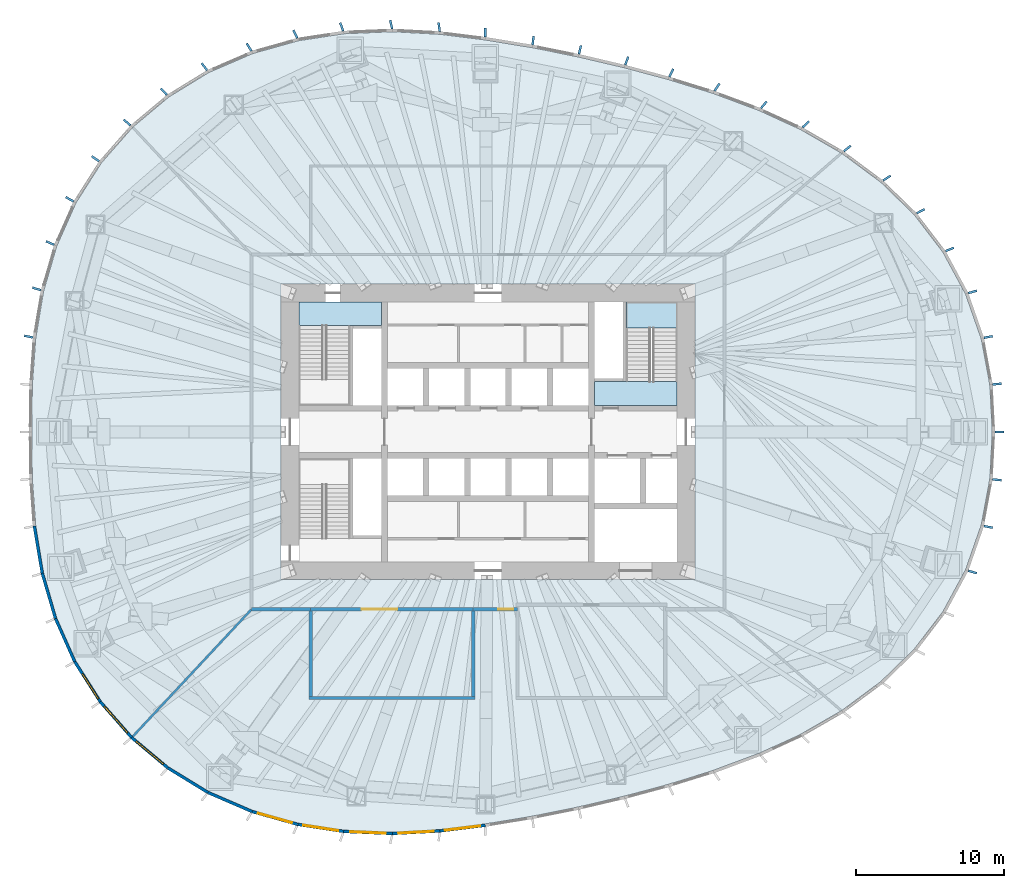
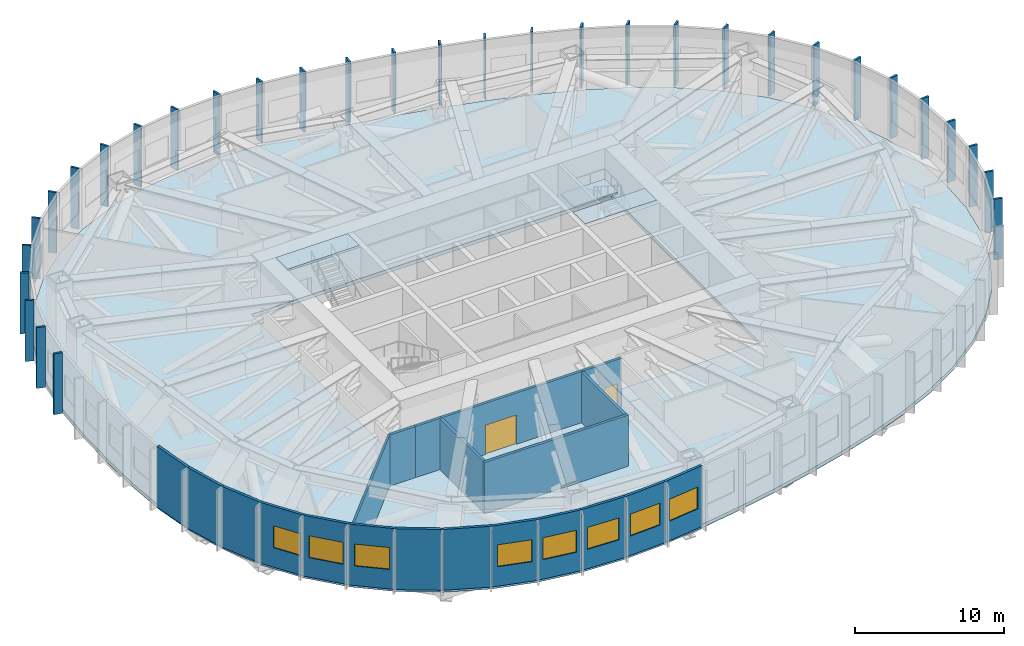
# One storey, part 6 of 12: 32 plates, 21 walls, 8 windows, 4 slabs, 2 doors, 10 openings, 2 elements without a shape of their own.
"""IFC4 building model written with IfcOpenShell, lengths in metres."""

import ifcopenshell
import ifcopenshell.guid

model = None  # the IFC model being written
_history = None  # IfcOwnerHistory: only IFC2X3 demands one
_inside = {}  # id of a spatial element -> (the spatial element, [elements in it])
_under = {}  # id of a project, library or spatial element -> (it, [spatial elements below it])
_declared = {}  # id of a project -> (the project, [libraries it declares])
_typed = {}  # id of a type object -> (the type object, [elements of that type])
_made_of = {}  # id of a material, layer set ... -> (it, [elements and type objects made of it])


def new_model(schema):
    """Start an empty IFC model of exactly this schema.

    Asked for "IFC4X3", IfcOpenShell would pick the latest addendum, in which some entities
    have other attributes; the version numbers below select the first issue.
    IFC2X3 requires an IfcOwnerHistory on every rooted entity: one is made here for all.
    """
    global model, _history
    if schema == "IFC4X3":
        model = ifcopenshell.file(schema_version=(4, 3, 0, 0))
    else:
        model = ifcopenshell.file(schema=schema)
    _inside.clear()
    _under.clear()
    _declared.clear()
    _typed.clear()
    _made_of.clear()
    _history = None
    if model.schema == "IFC2X3":
        org = make("IfcOrganization", Name="unknown")
        user = make(
            "IfcPersonAndOrganization",
            ThePerson=make("IfcPerson", FamilyName="unknown"),
            TheOrganization=org,
        )
        app = make(
            "IfcApplication",
            ApplicationDeveloper=org,
            Version="unknown",
            ApplicationFullName="unknown",
            ApplicationIdentifier="unknown",
        )
        _history = make(
            "IfcOwnerHistory",
            OwningUser=user,
            OwningApplication=app,
            ChangeAction="ADDED",
            CreationDate=0,
        )
    return model


def make(cls, **values):
    """One entity of the class cls with the attributes given. An attribute that is None is left unset."""
    return model.create_entity(
        cls, **{name: value for name, value in values.items() if value is not None}
    )


def rooted(cls, **values):
    """An entity with a GlobalId (a new one), such as an element, a storey or a relation."""
    return make(cls, GlobalId=ifcopenshell.guid.new(), OwnerHistory=_history, **values)


def si_unit(unit_type, name, prefix=None):
    """IfcSIUnit, for example si_unit("LENGTHUNIT", "METRE", prefix="MILLI")."""
    return make("IfcSIUnit", UnitType=unit_type, Prefix=prefix, Name=name)


def assignment(units):
    """IfcUnitAssignment: the units of a project."""
    return None if units is None else make("IfcUnitAssignment", Units=units)


def point(xyz):
    """IfcCartesianPoint."""
    return None if xyz is None else make("IfcCartesianPoint", Coordinates=xyz)


def direction(xyz):
    """IfcDirection."""
    return None if xyz is None else make("IfcDirection", DirectionRatios=xyz)


def frame(location, z_axis=None, x_axis=None):
    """IfcAxis2Placement3D, a coordinate frame: its origin and axes. An axis left out is left unset."""
    return make(
        "IfcAxis2Placement3D",
        Location=point(location),
        Axis=direction(z_axis),
        RefDirection=direction(x_axis),
    )


def frame_2d(location, x_axis=None):
    """IfcAxis2Placement2D, a coordinate frame in the plane: its origin and x axis."""
    return make(
        "IfcAxis2Placement2D", Location=point(location), RefDirection=direction(x_axis)
    )


def origin():
    """The frame at (0, 0, 0) with its axes left unset."""
    return frame((0.0, 0.0, 0.0))


def origin_2d():
    """The frame at (0, 0) in the plane with its x axis left unset."""
    return frame_2d((0.0, 0.0))


def place(relative_to, where):
    """IfcLocalPlacement: puts the frame where relative to a parent placement (None: the world)."""
    return make(
        "IfcLocalPlacement", PlacementRelTo=relative_to, RelativePlacement=where
    )


def context(
    kind, dimensions, precision=None, world=None, true_north=None, identifier=None
):
    """IfcGeometricRepresentationContext, for example the 3D "Model" context."""
    return make(
        "IfcGeometricRepresentationContext",
        ContextIdentifier=identifier,
        ContextType=kind,
        CoordinateSpaceDimension=dimensions,
        Precision=precision,
        WorldCoordinateSystem=world,
        TrueNorth=true_north,
    )


def subcontext(parent, identifier, kind, view, scale=None):
    """IfcGeometricRepresentationSubContext, for example "Body" below "Model"."""
    return make(
        "IfcGeometricRepresentationSubContext",
        ContextIdentifier=identifier,
        ContextType=kind,
        ParentContext=parent,
        TargetScale=scale,
        TargetView=view,
    )


def project(units=None, contexts=None):
    """IfcProject with its units and contexts."""
    return rooted(
        "IfcProject",
        Name="project",
        RepresentationContexts=contexts,
        UnitsInContext=assignment(units),
    )


def spatial(cls, under=None, at=None, **own):
    """A site, building, storey or space (cls), placed at a placement, below another one or the project."""
    s = rooted(cls, ObjectPlacement=at, **own)
    if under is not None:
        _under.setdefault(under.id(), (under, []))[1].append(s)
    return s


def polyline(points):
    """IfcPolyline through the points."""
    return make("IfcPolyline", Points=[point(p) for p in points])


def profile(cls, at=None, kind="AREA", **sizes):
    """A parametric profile (cls). Its sizes go by their IFC names, for example OverallWidth=200.0."""
    return make(cls, ProfileType=kind, Position=at, **sizes)


def rectangle(**sizes):
    """IfcRectangleProfileDef."""
    return profile("IfcRectangleProfileDef", **sizes)


def outline(outer, holes=None, kind="AREA"):
    """IfcArbitraryClosedProfileDef: a profile drawn as a closed curve; with holes, ...WithVoids."""
    if holes is None:
        return make("IfcArbitraryClosedProfileDef", ProfileType=kind, OuterCurve=outer)
    return make(
        "IfcArbitraryProfileDefWithVoids",
        ProfileType=kind,
        OuterCurve=outer,
        InnerCurves=holes,
    )


def extrude(swept, where, along, depth):
    """IfcExtrudedAreaSolid: the profile swept, set in the frame where, extruded along a direction by depth."""
    return make(
        "IfcExtrudedAreaSolid",
        SweptArea=swept,
        Position=where,
        ExtrudedDirection=direction(along),
        Depth=depth,
    )


def shape(context_of_items, identifier, shape_type, items):
    """IfcShapeRepresentation: the items that make up one representation, for example the "Body"."""
    return make(
        "IfcShapeRepresentation",
        ContextOfItems=context_of_items,
        RepresentationIdentifier=identifier,
        RepresentationType=shape_type,
        Items=items,
    )


def material(Name=None, Category=None):
    """IfcMaterial."""
    return make("IfcMaterial", Name=Name, Category=Category)


def layer(
    of_material, thickness, ventilated=None, Name=None, Category=None, Priority=None
):
    """IfcMaterialLayer: one layer of a wall or slab, of a material (None: an air gap)."""
    return make(
        "IfcMaterialLayer",
        Material=of_material,
        LayerThickness=thickness,
        IsVentilated=ventilated,
        Name=Name,
        Category=Category,
        Priority=Priority,
    )


def layer_set(layers, Name=None):
    """IfcMaterialLayerSet."""
    return make("IfcMaterialLayerSet", MaterialLayers=layers, LayerSetName=Name)


def made_of(thing, what):
    """Note that an element or type object is made of a material, layer set ...; save() writes the relation."""
    if what is not None:
        _made_of.setdefault(what.id(), (what, []))[1].append(thing)
    return thing


def type_object(cls, material=None, **own):
    """A type object (cls), such as IfcWallType, which elements share."""
    return made_of(rooted(cls, **own), material)


def element(
    cls,
    number,
    at=None,
    inside=None,
    cuts=None,
    type_object=None,
    material=None,
    context=None,
    identifier="Body",
    shape_type=None,
    held_by="IfcProductDefinitionShape",
    body=None,
    shapes=None,
    **own,
):
    """One element of the class cls, such as IfcWall. Its Tag is "e" and its number.

    at: its placement. inside: the storey or other place that contains it. cuts: it is an
    opening in that element (IfcRelVoidsElement). A single representation is given by context,
    identifier, shape_type and body (its items); several are given by shapes. held_by: the class
    of the entity that holds the representations. save() writes the other relations.
    """
    e = rooted(cls, Tag="e%d" % number, ObjectPlacement=at, **own)
    if body is not None:
        shapes = [shape(context, identifier, shape_type, body)]
    if shapes is not None:
        e.Representation = make(held_by, Representations=shapes)
    if inside is not None:
        _inside.setdefault(inside.id(), (inside, []))[1].append(e)
    if cuts is not None:
        rooted(
            "IfcRelVoidsElement", RelatingBuildingElement=cuts, RelatedOpeningElement=e
        )
    if type_object is not None:
        _typed.setdefault(type_object.id(), (type_object, []))[1].append(e)
    return made_of(e, material)


def fill(opening, filler):
    """IfcRelFillsElement: the door or window that sits in an opening."""
    return rooted(
        "IfcRelFillsElement",
        RelatingOpeningElement=opening,
        RelatedBuildingElement=filler,
    )


def aggregate(whole, parts):
    """IfcRelAggregates: a whole, such as a stair, and the parts it consists of."""
    return rooted("IfcRelAggregates", RelatingObject=whole, RelatedObjects=parts)


def save(model, path):
    """Write the relations noted so far, then the file.

    IfcRelAggregates (storeys below a building ...), IfcRelContainedInSpatialStructure (elements
    in a storey), IfcRelDefinesByType, IfcRelAssociatesMaterial and IfcRelDeclares: one each for
    every whole, place, type object, material and project.
    """
    for whole, parts in _under.values():
        aggregate(whole, parts)
    for where, things in _inside.values():
        rooted(
            "IfcRelContainedInSpatialStructure",
            RelatedElements=things,
            RelatingStructure=where,
        )
    for kind, things in _typed.values():
        rooted("IfcRelDefinesByType", RelatedObjects=things, RelatingType=kind)
    for what, things in _made_of.values():
        rooted("IfcRelAssociatesMaterial", RelatedObjects=things, RelatingMaterial=what)
    for by, libraries in _declared.values():
        rooted("IfcRelDeclares", RelatingContext=by, RelatedDefinitions=libraries)
    model.write(path)


model = new_model("IFC4")

# Units and contexts
model_context = context("Model", 3, precision=1e-05, world=origin(), true_north=direction((0.0, 1.0)))
body_context = subcontext(model_context, "Body", "Model", "MODEL_VIEW")
ifc_project = project(units=[si_unit("LENGTHUNIT", "METRE"), si_unit("AREAUNIT", "SQUARE_METRE"), si_unit("VOLUMEUNIT", "CUBIC_METRE"), si_unit("PLANEANGLEUNIT", "RADIAN"), si_unit("MASSUNIT", "GRAM", prefix="KILO")], contexts=[model_context])

# Site, building, storey
site_placement = place(None, origin())
site = spatial("IfcSite", under=ifc_project, at=site_placement, CompositionType="ELEMENT")
building_placement = place(site_placement, origin())
building = spatial("IfcBuilding", under=site, at=building_placement, Name="Ghaith Harvest Tower", CompositionType="ELEMENT")
storey_placement = place(building_placement, frame((0.0, 0.0, 100.0)))
storey = spatial("IfcBuildingStorey", under=building, at=storey_placement, Name="L20", CompositionType="ELEMENT", Elevation=100.0)

# Slab
ifc_material_1 = material(Name="Concrete C40/50", Category="concrete")
ifc_layer_1 = layer(ifc_material_1, 0.300048828125)
ifc_layer_set_1 = layer_set([ifc_layer_1], Name="FLOOR SLAB 300")
slab_type_1 = type_object("IfcSlabType", Name="FLOOR SLAB 300", PredefinedType="FLOOR", material=ifc_layer_set_1)
slab_1_placement = place(storey_placement, frame((0.0, 0.0, -0.300048828125)))
element("IfcSlab", 1, at=slab_1_placement, inside=storey, type_object=slab_type_1, Name="Floor slab L20", PredefinedType="FLOOR", context=body_context, shape_type="SweptSolid", body=[
    extrude(outline(polyline([(34.125, 0.0), (33.95849609375, 3.194091796875), (33.37158203125, 6.333984375), (32.318359375, 9.3408203125), (30.78515625, 12.1708984375), (28.840087890625, 14.708984375), (26.572509765625, 16.9111328125), (23.92431640625, 18.873046875), (21.149169921875, 20.469482421875), (18.34521484375, 21.7548828125), (15.22119140625, 22.916259765625), (12.1796875, 23.857666015625), (9.21533203125, 24.65087890625), (6.10888671875, 25.378662109375), (2.99560546875, 26.004150390625), (-0.181396484375, 26.527099609375), (-3.24755859375, 26.91064453125), (-6.4375, 27.0849609375), (-9.733642578125, 26.949951171875), (-12.828125, 26.476806640625), (-15.907958984375, 25.614501953125), (-18.8935546875, 24.32763671875), (-21.59912109375, 22.671142578125), (-24.04833984375, 20.618408203125), (-26.16455078125, 18.20556640625), (-27.881591796875, 15.507080078125), (-29.182373046875, 12.587890625), (-30.073974609375, 9.531005859375), (-30.606689453125, 6.35107421875), (-30.837158203125, 3.165771484375), (-30.875, 0.0), (-30.837158203125, -3.165771484375), (-30.606689453125, -6.35107421875), (-30.073974609375, -9.531005859375), (-29.182373046875, -12.587890625), (-27.881591796875, -15.507080078125), (-26.16455078125, -18.20556640625), (-24.04833984375, -20.618408203125), (-21.59912109375, -22.671142578125), (-18.8935546875, -24.32763671875), (-15.907958984375, -25.614501953125), (-12.828125, -26.476806640625), (-9.733642578125, -26.949951171875), (-6.4375, -27.0849609375), (-3.24755859375, -26.91064453125), (-0.181396484375, -26.527099609375), (2.99560546875, -26.004150390625), (6.10888671875, -25.378662109375), (9.21533203125, -24.65087890625), (12.1796875, -23.857666015625), (15.22119140625, -22.916259765625), (18.34521484375, -21.7548828125), (21.149169921875, -20.469482421875), (23.92431640625, -18.873046875), (26.572509765625, -16.9111328125), (28.840087890625, -14.708984375), (30.78515625, -12.1708984375), (32.318359375, -9.3408203125), (33.37158203125, -6.333984375), (33.95849609375, -3.194091796875), (34.125, 0.0)]), holes=[polyline([(-14.0, -10.0), (14.0, -10.0), (14.0, 10.0), (-14.0, 10.0), (-14.0, -10.0)])]), origin(), (0.0, 0.0, 1.0), 0.300048828125),
])

# Stair, slab
ifc_material_2 = material(Name="Concrete C40/50, precast", Category="concrete")
stair_type = type_object("IfcStairType", Name="CORE STAIR 28R", PredefinedType="HALF_TURN_STAIR", material=ifc_material_2)
stair_1_placement = place(storey_placement, origin())
stair_1 = element("IfcStair", 2, at=stair_1_placement, inside=storey, type_object=stair_type, Name="Stair ST1 L20", PredefinedType="HALF_TURN_STAIR")
ifc_material_3 = material(Name="Concrete C40/50, precast", Category="concrete")
ifc_layer_2 = layer(ifc_material_3, 0.179931640625)
ifc_layer_set_2 = layer_set([ifc_layer_2], Name="STAIR LANDING 180")
slab_type_2 = type_object("IfcSlabType", Name="STAIR LANDING 180", PredefinedType="LANDING", material=ifc_layer_set_2)
slab_2_placement = place(storey_placement, frame((0.0, 0.0, 4.820068359375)))
slab_2 = element("IfcSlab", 3, at=slab_2_placement, type_object=slab_type_2, Name="ST1 landing 2", PredefinedType="LANDING", context=body_context, shape_type="SweptSolid", body=[
    extrude(outline(polyline([(-12.800048828125, 8.800048828125), (-12.800048828125, 7.199951171875), (-7.199951171875, 7.199951171875), (-7.199951171875, 8.800048828125), (-12.800048828125, 8.800048828125)])), origin(), (0.0, 0.0, 1.0), 0.179931640625),
])
aggregate(stair_1, [slab_2])

# Stair, slabs
stair_2_placement = place(storey_placement, origin())
stair_2 = element("IfcStair", 4, at=stair_2_placement, inside=storey, type_object=stair_type, Name="Stair ST2 L20", PredefinedType="HALF_TURN_STAIR")
slab_3_placement = place(storey_placement, frame((0.0, 0.0, 2.320068359375)))
slab_3 = element("IfcSlab", 5, at=slab_3_placement, type_object=slab_type_2, Name="ST2 landing 1", PredefinedType="LANDING", context=body_context, shape_type="SweptSolid", body=[
    extrude(outline(polyline([(12.800048828125, 7.02001953125), (12.800048828125, 8.800048828125), (9.35009765625, 8.800048828125), (9.35009765625, 7.02001953125), (12.800048828125, 7.02001953125)])), origin(), (0.0, 0.0, 1.0), 0.179931640625),
])
slab_4_placement = place(storey_placement, frame((0.0, 0.0, 4.820068359375)))
slab_4 = element("IfcSlab", 6, at=slab_4_placement, type_object=slab_type_2, Name="ST2 landing 2", PredefinedType="LANDING", context=body_context, shape_type="SweptSolid", body=[
    extrude(outline(polyline([(12.800048828125, 1.800048828125), (12.800048828125, 3.39990234375), (7.199951171875, 3.39990234375), (7.199951171875, 1.800048828125), (12.800048828125, 1.800048828125)])), origin(), (0.0, 0.0, 1.0), 0.179931640625),
])
aggregate(stair_2, [slab_3, slab_4])

# Plates
ifc_material_4 = material(Name="Glassfibre-reinforced concrete", Category="concrete")
ifc_layer_3 = layer(ifc_material_4, 0.14990234375)
ifc_layer_set_3 = layer_set([ifc_layer_3], Name="SUN-BREAKER FIN 600x150")
plate_type = type_object("IfcPlateType", Name="SUN-BREAKER FIN 600x150", PredefinedType="USERDEFINED", material=ifc_layer_set_3)
for number, where, z_axis, x_axis, name in (
    (7, (34.625, 0.0, 0.0), (0.0, 0.0, 1.0), (1.0, 0.0, 0.0), "Sun-breaker fin 01.1 L20"),
    (8, (34.456298828125, 3.240966796875, 0.0), (0.0, 0.0, 1.0), (0.995605438152, 0.093647271834, 0.0), "Sun-breaker fin 01.2 L20"),
    (9, (33.863037109375, 6.42724609375, 0.0), (0.0, 0.0, 1.0), (0.982460376956, 0.186471466213, 0.0), "Sun-breaker fin 01.3 L20"),
    (10, (32.798828125, 9.4794921875, 0.0), (0.0, 0.0, 1.0), (0.960680349985, 0.277656739792, 0.0), "Sun-breaker fin 02.1 L20"),
    (11, (31.250244140625, 12.354736328125, 0.0), (0.0, 0.0, 1.0), (0.929960843135, 0.367658578351, 0.0), "Sun-breaker fin 02.2 L20"),
    (12, (29.28564453125, 14.93603515625, 0.0), (0.0, 0.0, 1.0), (0.890830752257, 0.454335306611, 0.0), "Sun-breaker fin 02.3 L20"),
    (13, (26.994384765625, 17.179443359375, 0.0), (0.0, 0.0, 1.0), (0.843643971464, 0.536903016766, 0.0), "Sun-breaker fin 03.1 L20"),
    (14, (24.316650390625, 19.1826171875, 0.0), (0.0, 0.0, 1.0), (0.785114680459, 0.619350416588, 0.0), "Sun-breaker fin 03.2 L20"),
    (15, (21.508544921875, 20.8173828125, 0.0), (0.0, 0.0, 1.0), (0.7185589652, 0.69546604053, 0.0), "Sun-breaker fin 03.3 L20"),
    (16, (18.66748046875, 22.13720703125, 0.0), (0.0, 0.0, 1.0), (0.644657240203, 0.764471740913, 0.0), "Sun-breaker fin 04.1 L20"),
    (17, (15.497802734375, 23.332763671875, 0.0), (0.0, 0.0, 1.0), (0.553282686819, 0.832993558478, 0.0), "Sun-breaker fin 04.2 L20"),
    (18, (12.406982421875, 24.302978515625, 0.0), (0.0, 0.0, 1.0), (0.454690809683, 0.890649351647, 0.0), "Sun-breaker fin 04.3 L20"),
    (19, (9.390380859375, 25.119140625, 0.0), (0.0, 0.0, 1.0), (0.35016769709, 0.936687025593, 0.0), "Sun-breaker fin 05.1 L20"),
    (20, (6.22607421875, 25.86474609375, 0.0), (0.0, 0.0, 1.0), (0.234028132006, 0.972229825417, 0.0), "Sun-breaker fin 05.2 L20"),
    (21, (3.052734375, 26.500732421875, 0.0), (0.0, 0.0, 1.0), (0.114436255666, 0.993430593141, 0.0), "Sun-breaker fin 05.3 L20"),
    (22, (-0.18505859375, 27.027099609375, 0.0), (0.0, 0.0, 1.0), (-0.006843747783, 0.999976581284, 0.0), "Sun-breaker fin 06.1 L20"),
    (23, (-3.307373046875, 27.406982421875, 0.0), (0.0, 0.0, 1.0), (-0.119806500946, 0.992797261444, 0.0), "Sun-breaker fin 06.2 L20"),
    (24, (-6.552978515625, 27.571533203125, 0.0), (0.0, 0.0, 1.0), (-0.231234279063, 0.972898097535, 0.0), "Sun-breaker fin 06.3 L20"),
    (25, (-9.903564453125, 27.420166015625, 0.0), (0.0, 0.0, 1.0), (-0.339699453402, 0.94053404051, 0.0), "Sun-breaker fin 07.1 L20"),
    (26, (-13.046142578125, 26.9267578125, 0.0), (0.0, 0.0, 1.0), (-0.436023232142, 0.899935409367, 0.0), "Sun-breaker fin 07.2 L20"),
    (27, (-16.171630859375, 26.039306640625, 0.0), (0.0, 0.0, 1.0), (-0.527582795495, 0.849503616177, 0.0), "Sun-breaker fin 07.3 L20"),
    (28, (-19.2001953125, 24.722412109375, 0.0), (0.0, 0.0, 1.0), (-0.613377714422, 0.78978970584, 0.0), "Sun-breaker fin 08.1 L20"),
    (29, (-21.94384765625, 23.033203125, 0.0), (0.0, 0.0, 1.0), (-0.689778750972, 0.724020217057, 0.0), "Sun-breaker fin 08.2 L20"),
    (30, (-24.427978515625, 20.94384765625, 0.0), (0.0, 0.0, 1.0), (-0.759169742643, 0.650892696115, 0.0), "Sun-breaker fin 08.3 L20"),
    (31, (-26.574951171875, 18.4912109375, 0.0), (0.0, 0.0, 1.0), (-0.820845486523, 0.571150319316, 0.0), "Sun-breaker fin 09.1 L20"),
    (32, (-28.318603515625, 15.75, 0.0), (0.0, 0.0, 1.0), (-0.873926916005, 0.486057347935, 0.0), "Sun-breaker fin 09.2 L20"),
    (33, (-29.641357421875, 12.785888671875, 0.0), (0.0, 0.0, 1.0), (-0.918217993215, 0.396075392995, 0.0), "Sun-breaker fin 09.3 L20"),
    (34, (-30.550537109375, 9.68212890625, 0.0), (0.0, 0.0, 1.0), (-0.953273219358, 0.302109531884, 0.0), "Sun-breaker fin 10.1 L20"),
    (35, (-31.096435546875, 6.45263671875, 0.0), (0.0, 0.0, 1.0), (-0.979141680737, 0.203178662866, 0.0), "Sun-breaker fin 10.2 L20"),
    (36, (32.798828125, -9.4794921875, 0.0), (0.0, 0.0, 1.0), (0.960680349932, -0.277656739976, 0.0), "Sun-breaker fin 20.1 L20"),
    (37, (33.863037109375, -6.42724609375, 0.0), (0.0, 0.0, 1.0), (0.982460376923, -0.186471466384, 0.0), "Sun-breaker fin 20.2 L20"),
    (38, (34.456298828125, -3.240966796875, 0.0), (0.0, 0.0, 1.0), (0.995605438136, -0.093647272008, 0.0), "Sun-breaker fin 20.3 L20"),
):
    element("IfcPlate", number, at=place(storey_placement, frame(where, z_axis=z_axis, x_axis=x_axis)), inside=storey, type_object=plate_type, Name=name, ObjectType="SUN-BREAKER FIN", PredefinedType="USERDEFINED", context=body_context, shape_type="SweptSolid", body=[
        extrude(rectangle(XDim=0.60009765625, YDim=0.14990234375, at=origin_2d()), origin(), (0.0, 0.0, 1.0), 5.0),
    ])

# Walls
ifc_material_5 = material(Name="Concrete blockwork, 1-hour", Category="masonry")
ifc_layer_4 = layer(ifc_material_5, 0.215087890625)
ifc_layer_set_4 = layer_set([ifc_layer_4], Name="BLOCKWORK WALL 215")
wall_type_1 = type_object("IfcWallType", Name="BLOCKWORK WALL 215", PredefinedType="PARTITIONING", material=ifc_layer_set_4)
for number, where, z_axis, x_axis, name in (
    (39, (-16.0, -12.0, 0.0), (0.0, 0.0, 1.0), (1.0, 0.0, 0.0), "Plant room wall L20"),
    (40, (-14.0, -12.0, 0.0), (0.0, 0.0, 1.0), (1.0, 0.0, 0.0), "Plant room wall L20"),
):
    element("IfcWall", number, at=place(storey_placement, frame(where, z_axis=z_axis, x_axis=x_axis)), inside=storey, type_object=wall_type_1, Name=name, PredefinedType="PARTITIONING", context=body_context, shape_type="SweptSolid", body=[
        extrude(rectangle(XDim=2.0, YDim=0.215087890625, at=frame_2d((1.0, 0.0))), origin(), (0.0, 0.0, 1.0), 4.199951171875),
    ])

# Wall, opening, door
wall_1_placement = place(storey_placement, frame((-1.0, -12.0, 0.0), z_axis=(0.0, 0.0, 1.0), x_axis=(1.0, 0.0, 0.0)))
wall_1 = element("IfcWall", 41, at=wall_1_placement, inside=storey, type_object=wall_type_1, Name="Plant room wall L20", PredefinedType="PARTITIONING", context=body_context, shape_type="SweptSolid", body=[
    extrude(rectangle(XDim=3.0, YDim=0.215087890625, at=frame_2d((1.5, 0.0))), origin(), (0.0, 0.0, 1.0), 4.199951171875),
])
opening_1_placement = place(wall_1_placement, frame((1.699951171875, 0.0, 0.0)))
opening_1 = element("IfcOpeningElement", 42, at=opening_1_placement, cuts=wall_1, Name="Opening 20-029", PredefinedType="OPENING", context=body_context, shape_type="SweptSolid", body=[
    extrude(rectangle(XDim=1.0, YDim=2.199951171875, at=frame_2d((0.5, 1.10009765625))), frame((0.0, 0.11767578125, 0.0), z_axis=(0.0, -1.0, 0.0), x_axis=(1.0, 0.0, 0.0)), (0.0, 0.0, 1.0), 0.235107421875),
])
ifc_material_6 = material(Name="Timber door", Category="wood")
door_type_1 = type_object("IfcDoorType", Name="D1 SINGLE 1000x2200", OperationType="SINGLE_SWING_LEFT", PredefinedType="DOOR", material=ifc_material_6)
door_1_placement = place(opening_1_placement, origin())
door_1 = element("IfcDoor", 43, at=door_1_placement, inside=storey, type_object=door_type_1, Name="Pump room south door", OperationType="SINGLE_SWING_RIGHT", OverallHeight=2.199951171875, OverallWidth=1.0, PredefinedType="DOOR", context=body_context, shape_type="SweptSolid", body=[
    extrude(rectangle(XDim=1.0, YDim=2.199951171875, at=frame_2d((0.5, 1.10009765625))), frame((0.0, 0.02490234375, 0.0), z_axis=(0.0, -1.0, 0.0), x_axis=(1.0, 0.0, 0.0)), (0.0, 0.0, 1.0), 0.050048828125),
])
fill(opening_1, door_1)

# Wall
wall_2_placement = place(storey_placement, frame((-12.107421875, -18.0, 0.0), z_axis=(0.0, 0.0, 1.0), x_axis=(1.0, 0.0, 0.0)))
element("IfcWall", 44, at=wall_2_placement, inside=storey, type_object=wall_type_1, Name="Partition L20-02", PredefinedType="PARTITIONING", context=body_context, shape_type="SweptSolid", body=[
    extrude(rectangle(XDim=11.21484375, YDim=0.215087890625, at=frame_2d((5.607421875, 0.0))), origin(), (0.0, 0.0, 1.0), 4.199951171875),
])

# Wall, opening, door
wall_3_placement = place(storey_placement, frame((-12.107421875, -12.0, 0.0), z_axis=(0.0, 0.0, 1.0), x_axis=(1.0, 0.0, 0.0)))
wall_3 = element("IfcWall", 45, at=wall_3_placement, inside=storey, type_object=wall_type_1, Name="Partition L20-02", PredefinedType="PARTITIONING", context=body_context, shape_type="SweptSolid", body=[
    extrude(rectangle(XDim=11.21484375, YDim=0.215087890625, at=frame_2d((5.607421875, 0.0))), origin(), (0.0, 0.0, 1.0), 4.199951171875),
])
opening_2_placement = place(wall_3_placement, frame((3.5576171875, 0.0, 0.0)))
opening_2 = element("IfcOpeningElement", 46, at=opening_2_placement, cuts=wall_3, Name="Opening 20-025", PredefinedType="OPENING", context=body_context, shape_type="SweptSolid", body=[
    extrude(rectangle(XDim=2.39990234375, YDim=2.39990234375, at=frame_2d((1.199951171875, 1.199951171875))), frame((0.0, 0.11767578125, 0.0), z_axis=(0.0, -1.0, 0.0), x_axis=(1.0, 0.0, 0.0)), (0.0, 0.0, 1.0), 0.235107421875),
])
ifc_material_7 = material(Name="Timber door", Category="wood")
door_type_2 = type_object("IfcDoorType", Name="D10 PLANT PAIR 2400x2400", OperationType="DOUBLE_DOOR_SINGLE_SWING", PredefinedType="DOOR", material=ifc_material_7)
door_2_placement = place(opening_2_placement, origin())
door_2 = element("IfcDoor", 47, at=door_2_placement, inside=storey, type_object=door_type_2, Name="Water tank room door", OperationType="DOUBLE_DOOR_SINGLE_SWING", OverallHeight=2.39990234375, OverallWidth=2.39990234375, PredefinedType="DOOR", context=body_context, shape_type="SweptSolid", body=[
    extrude(rectangle(XDim=2.39990234375, YDim=2.39990234375, at=frame_2d((1.199951171875, 1.199951171875))), frame((0.0, 0.02490234375, 0.0), z_axis=(0.0, -1.0, 0.0), x_axis=(1.0, 0.0, 0.0)), (0.0, 0.0, 1.0), 0.050048828125),
])
fill(opening_2, door_2)

# Walls
wall_4_placement = place(storey_placement, frame((-12.0, -17.892578125, 0.0), z_axis=(0.0, 0.0, 1.0), x_axis=(0.0, 1.0, 0.0)))
element("IfcWall", 48, at=wall_4_placement, inside=storey, type_object=wall_type_1, Name="Partition L20-02", PredefinedType="PARTITIONING", context=body_context, shape_type="SweptSolid", body=[
    extrude(rectangle(XDim=5.78515625, YDim=0.215087890625, at=frame_2d((2.892578125, 0.0))), origin(), (0.0, 0.0, 1.0), 4.199951171875),
])
ifc_material_8 = material(Name="Concrete blockwork, 1-hour", Category="masonry")
ifc_layer_5 = layer(ifc_material_8, 0.215087890625)
ifc_layer_set_5 = layer_set([ifc_layer_5], Name="BLOCKWORK WALL 215H")
wall_type_2 = type_object("IfcWallType", Name="BLOCKWORK WALL 215H", PredefinedType="PARTITIONING", material=ifc_layer_set_5)
wall_5_placement = place(storey_placement, frame((-1.0, -17.892578125, 0.0), z_axis=(0.0, 0.0, 1.0), x_axis=(0.0, 1.0, 0.0)))
element("IfcWall", 49, at=wall_5_placement, inside=storey, type_object=wall_type_2, Name="Partition L20-02", PredefinedType="PARTITIONING", context=body_context, shape_type="SweptSolid", body=[
    extrude(rectangle(XDim=5.78515625, YDim=0.215087890625, at=frame_2d((2.892578125, 0.0))), origin(), (0.0, 0.0, 1.0), 4.14599609375),
])
ifc_material_9 = material(Name="Gypsum board on steel studs", Category="steel")
ifc_layer_6 = layer(ifc_material_9, 0.14990234375)
ifc_layer_set_6 = layer_set([ifc_layer_6], Name="PARTITION 150")
wall_type_3 = type_object("IfcWallType", Name="PARTITION 150", PredefinedType="PARTITIONING", material=ifc_layer_set_6)
wall_6_placement = place(storey_placement, frame((-16.013671875, -12.0146484375, 0.0), z_axis=(0.0, 0.0, 1.0), x_axis=(-0.682522513656, -0.730864569091, 0.0)))
element("IfcWall", 50, at=wall_6_placement, inside=storey, type_object=wall_type_3, Name="Partition L20 zone division", PredefinedType="PARTITIONING", context=body_context, shape_type="SweptSolid", body=[
    extrude(rectangle(XDim=11.751953125, YDim=0.14990234375, at=frame_2d((5.8759765625, 0.0))), origin(), (0.0, 0.0, 1.0), 4.199951171875),
])
ifc_material_10 = material(Name="Steel, black insulated metal cladding panel", Category="steel")
ifc_layer_7 = layer(ifc_material_10, 0.199951171875)
ifc_layer_set_7 = layer_set([ifc_layer_7], Name="PLANT ENCLOSURE WALL 200")
wall_type_4 = type_object("IfcWallType", Name="PLANT ENCLOSURE WALL 200", PredefinedType="SOLIDWALL", material=ifc_layer_set_7)
wall_7_placement = place(storey_placement, frame((-30.70458984375, -6.371337890625, 0.0), z_axis=(0.0, 0.0, 1.0), x_axis=(0.165524941824, -0.986205604138, 0.0)))
element("IfcWall", 51, at=wall_7_placement, inside=storey, type_object=wall_type_4, Name="Plant enclosure wall 11.3 L20", PredefinedType="SOLIDWALL", context=body_context, shape_type="SweptSolid", body=[
    extrude(rectangle(XDim=3.234619140625, YDim=0.199951171875, at=frame_2d((1.6171875, 0.0))), origin(), (0.0, 0.0, 1.0), 5.0),
])
wall_8_placement = place(storey_placement, frame((-30.169189453125, -9.561279296875, 0.0), z_axis=(0.0, 0.0, 1.0), x_axis=(0.280208384057, -0.959939196774, 0.0)))
element("IfcWall", 52, at=wall_8_placement, inside=storey, type_object=wall_type_4, Name="Plant enclosure wall 12.1 L20", PredefinedType="SOLIDWALL", context=body_context, shape_type="SweptSolid", body=[
    extrude(rectangle(XDim=3.194091796875, YDim=0.199951171875, at=frame_2d((1.59716796875, 0.0))), origin(), (0.0, 0.0, 1.0), 5.0),
])
wall_9_placement = place(storey_placement, frame((-29.274169921875, -12.62744140625, 0.0), z_axis=(0.0, 0.0, 1.0), x_axis=(0.407113305764, -0.913377663549, 0.0)))
element("IfcWall", 53, at=wall_9_placement, inside=storey, type_object=wall_type_4, Name="Plant enclosure wall 12.2 L20", PredefinedType="SOLIDWALL", context=body_context, shape_type="SweptSolid", body=[
    extrude(rectangle(XDim=3.205810546875, YDim=0.199951171875, at=frame_2d((1.60302734375, 0.0))), origin(), (0.0, 0.0, 1.0), 5.0),
])

# Wall, opening, window
wall_10_placement = place(storey_placement, frame((-27.968994140625, -15.5556640625, 0.0), z_axis=(0.0, 0.0, 1.0), x_axis=(0.536767165703, -0.843730413001, 0.0)))
wall_10 = element("IfcWall", 54, at=wall_10_placement, inside=storey, type_object=wall_type_4, Name="Plant enclosure wall 12.3 L20", PredefinedType="SOLIDWALL", context=body_context, shape_type="SweptSolid", body=[
    extrude(rectangle(XDim=3.20849609375, YDim=0.199951171875, at=frame_2d((1.604248046875, 0.0))), origin(), (0.0, 0.0, 1.0), 5.0),
])
opening_3_placement = place(wall_10_placement, frame((0.97216796875, 0.0, 1.60009765625)))
opening_3 = element("IfcOpeningElement", 55, at=opening_3_placement, cuts=wall_10, Name="Opening LV2", PredefinedType="OPENING", context=body_context, shape_type="SweptSolid", body=[
    extrude(rectangle(XDim=2.0, YDim=1.800048828125, at=frame_2d((1.0, 0.89990234375))), frame((0.0, 0.10986328125, 0.0), z_axis=(0.0, -1.0, 0.0), x_axis=(1.0, 0.0, 0.0)), (0.0, 0.0, 1.0), 0.219970703125),
])
ifc_material_11 = material(Name="Aluminium louvre, black", Category="aluminium")
window_type_1 = type_object("IfcWindowType", Name="LOUVRE L2 2000x1800", PartitioningType="SINGLE_PANEL", PredefinedType="WINDOW", material=ifc_material_11)
window_1_placement = place(opening_3_placement, origin())
window_1 = element("IfcWindow", 56, at=window_1_placement, inside=storey, type_object=window_type_1, Name="Plant louvre 12.3 L20", OverallHeight=1.800048828125, OverallWidth=2.0, PartitioningType="SINGLE_PANEL", PredefinedType="WINDOW", context=body_context, shape_type="SweptSolid", body=[
    extrude(rectangle(XDim=2.0, YDim=1.800048828125, at=frame_2d((1.0, 0.89990234375))), frame((0.0, 0.030029296875, 0.0), z_axis=(0.0, -1.0, 0.0), x_axis=(1.0, 0.0, 0.0)), (0.0, 0.0, 1.0), 0.06005859375),
])
fill(opening_3, window_1)

wall_11_placement = place(storey_placement, frame((-26.246826171875, -18.2626953125, 0.0), z_axis=(0.0, 0.0, 1.0), x_axis=(0.659255857284, -0.751918688846, 0.0)))
wall_11 = element("IfcWall", 57, at=wall_11_placement, inside=storey, type_object=wall_type_4, Name="Plant enclosure wall 13.1 L20", PredefinedType="SOLIDWALL", context=body_context, shape_type="SweptSolid", body=[
    extrude(rectangle(XDim=3.2197265625, YDim=0.199951171875, at=frame_2d((1.60986328125, 0.0))), origin(), (0.0, 0.0, 1.0), 5.0),
])
opening_4_placement = place(wall_11_placement, frame((0.409912109375, 0.0, 1.60009765625)))
opening_4 = element("IfcOpeningElement", 58, at=opening_4_placement, cuts=wall_11, Name="Opening LV1", PredefinedType="OPENING", context=body_context, shape_type="SweptSolid", body=[
    extrude(rectangle(XDim=2.39990234375, YDim=1.800048828125, at=frame_2d((1.199951171875, 0.89990234375))), frame((0.0, 0.10986328125, 0.0), z_axis=(0.0, -1.0, 0.0), x_axis=(1.0, 0.0, 0.0)), (0.0, 0.0, 1.0), 0.219970703125),
])
ifc_material_12 = material(Name="Aluminium louvre, black", Category="aluminium")
window_type_2 = type_object("IfcWindowType", Name="LOUVRE L1 2400x1800", PartitioningType="SINGLE_PANEL", PredefinedType="WINDOW", material=ifc_material_12)
window_2_placement = place(opening_4_placement, origin())
window_2 = element("IfcWindow", 59, at=window_2_placement, inside=storey, type_object=window_type_2, Name="Plant louvre 13.1 L20", OverallHeight=1.800048828125, OverallWidth=2.39990234375, PartitioningType="SINGLE_PANEL", PredefinedType="WINDOW", context=body_context, shape_type="SweptSolid", body=[
    extrude(rectangle(XDim=2.39990234375, YDim=1.800048828125, at=frame_2d((1.199951171875, 0.89990234375))), frame((0.0, 0.030029296875, 0.0), z_axis=(0.0, -1.0, 0.0), x_axis=(1.0, 0.0, 0.0)), (0.0, 0.0, 1.0), 0.06005859375),
])
fill(opening_4, window_2)

wall_12_placement = place(storey_placement, frame((-24.124267578125, -20.68359375, 0.0), z_axis=(0.0, 0.0, 1.0), x_axis=(0.766201219495, -0.64260072459, 0.0)))
wall_12 = element("IfcWall", 60, at=wall_12_placement, inside=storey, type_object=wall_type_4, Name="Plant enclosure wall 13.2 L20", PredefinedType="SOLIDWALL", context=body_context, shape_type="SweptSolid", body=[
    extrude(rectangle(XDim=3.205810546875, YDim=0.199951171875, at=frame_2d((1.60302734375, 0.0))), origin(), (0.0, 0.0, 1.0), 5.0),
])
opening_5_placement = place(wall_12_placement, frame((0.40283203125, 0.0, 1.60009765625)))
opening_5 = element("IfcOpeningElement", 61, at=opening_5_placement, cuts=wall_12, Name="Opening LV1", PredefinedType="OPENING", context=body_context, shape_type="SweptSolid", body=[
    extrude(rectangle(XDim=2.39990234375, YDim=1.800048828125, at=frame_2d((1.199951171875, 0.89990234375))), frame((0.0, 0.10986328125, 0.0), z_axis=(0.0, -1.0, 0.0), x_axis=(1.0, 0.0, 0.0)), (0.0, 0.0, 1.0), 0.219970703125),
])
window_3_placement = place(opening_5_placement, origin())
window_3 = element("IfcWindow", 62, at=window_3_placement, inside=storey, type_object=window_type_2, Name="Plant louvre 13.2 L20", OverallHeight=1.800048828125, OverallWidth=2.39990234375, PartitioningType="SINGLE_PANEL", PredefinedType="WINDOW", context=body_context, shape_type="SweptSolid", body=[
    extrude(rectangle(XDim=2.39990234375, YDim=1.800048828125, at=frame_2d((1.199951171875, 0.89990234375))), frame((0.0, 0.030029296875, 0.0), z_axis=(0.0, -1.0, 0.0), x_axis=(1.0, 0.0, 0.0)), (0.0, 0.0, 1.0), 0.06005859375),
])
fill(opening_5, window_3)

# Walls
wall_13_placement = place(storey_placement, frame((-21.66796875, -22.74365234375, 0.0), z_axis=(0.0, 0.0, 1.0), x_axis=(0.85260786828, -0.522551263462, 0.0)))
element("IfcWall", 63, at=wall_13_placement, inside=storey, type_object=wall_type_4, Name="Plant enclosure wall 13.3 L20", PredefinedType="SOLIDWALL", context=body_context, shape_type="SweptSolid", body=[
    extrude(rectangle(XDim=3.18212890625, YDim=0.199951171875, at=frame_2d((1.591064453125, 0.0))), origin(), (0.0, 0.0, 1.0), 5.0),
])
wall_14_placement = place(storey_placement, frame((-18.954833984375, -24.406494140625, 0.0), z_axis=(0.0, 0.0, 1.0), x_axis=(0.918030153112, -0.396510577384, 0.0)))
element("IfcWall", 64, at=wall_14_placement, inside=storey, type_object=wall_type_4, Name="Plant enclosure wall 14.1 L20", PredefinedType="SOLIDWALL", context=body_context, shape_type="SweptSolid", body=[
    extrude(rectangle(XDim=3.261474609375, YDim=0.199951171875, at=frame_2d((1.630859375, 0.0))), origin(), (0.0, 0.0, 1.0), 5.0),
])

# Wall, opening, window
wall_15_placement = place(storey_placement, frame((-15.960693359375, -25.69970703125, 0.0), z_axis=(0.0, 0.0, 1.0), x_axis=(0.962777273016, -0.270295990654, 0.0)))
wall_15 = element("IfcWall", 65, at=wall_15_placement, inside=storey, type_object=wall_type_4, Name="Plant enclosure wall 14.2 L20", PredefinedType="SOLIDWALL", context=body_context, shape_type="SweptSolid", body=[
    extrude(rectangle(XDim=3.208251953125, YDim=0.199951171875, at=frame_2d((1.60400390625, 0.0))), origin(), (0.0, 0.0, 1.0), 5.0),
])
opening_6_placement = place(wall_15_placement, frame((0.404296875, 0.0, 1.60009765625)))
opening_6 = element("IfcOpeningElement", 66, at=opening_6_placement, cuts=wall_15, Name="Opening LV1", PredefinedType="OPENING", context=body_context, shape_type="SweptSolid", body=[
    extrude(rectangle(XDim=2.39990234375, YDim=1.800048828125, at=frame_2d((1.199951171875, 0.89990234375))), frame((0.0, 0.10986328125, 0.0), z_axis=(0.0, -1.0, 0.0), x_axis=(1.0, 0.0, 0.0)), (0.0, 0.0, 1.0), 0.219970703125),
])
window_4_placement = place(opening_6_placement, origin())
window_4 = element("IfcWindow", 67, at=window_4_placement, inside=storey, type_object=window_type_2, Name="Plant louvre 14.2 L20", OverallHeight=1.800048828125, OverallWidth=2.39990234375, PartitioningType="SINGLE_PANEL", PredefinedType="WINDOW", context=body_context, shape_type="SweptSolid", body=[
    extrude(rectangle(XDim=2.39990234375, YDim=1.800048828125, at=frame_2d((1.199951171875, 0.89990234375))), frame((0.0, 0.030029296875, 0.0), z_axis=(0.0, -1.0, 0.0), x_axis=(1.0, 0.0, 0.0)), (0.0, 0.0, 1.0), 0.06005859375),
])
fill(opening_6, window_4)

wall_16_placement = place(storey_placement, frame((-12.871826171875, -26.56689453125, 0.0), z_axis=(0.0, 0.0, 1.0), x_axis=(0.988396846799, -0.151893624746, 0.0)))
wall_16 = element("IfcWall", 68, at=wall_16_placement, inside=storey, type_object=wall_type_4, Name="Plant enclosure wall 14.3 L20", PredefinedType="SOLIDWALL", context=body_context, shape_type="SweptSolid", body=[
    extrude(rectangle(XDim=3.140625, YDim=0.199951171875, at=frame_2d((1.5703125, 0.0))), origin(), (0.0, 0.0, 1.0), 5.0),
])
opening_7_placement = place(wall_16_placement, frame((0.370361328125, 0.0, 1.60009765625)))
opening_7 = element("IfcOpeningElement", 69, at=opening_7_placement, cuts=wall_16, Name="Opening LV1", PredefinedType="OPENING", context=body_context, shape_type="SweptSolid", body=[
    extrude(rectangle(XDim=2.39990234375, YDim=1.800048828125, at=frame_2d((1.199951171875, 0.89990234375))), frame((0.0, 0.10986328125, 0.0), z_axis=(0.0, -1.0, 0.0), x_axis=(1.0, 0.0, 0.0)), (0.0, 0.0, 1.0), 0.219970703125),
])
window_5_placement = place(opening_7_placement, origin())
window_5 = element("IfcWindow", 70, at=window_5_placement, inside=storey, type_object=window_type_2, Name="Plant louvre 14.3 L20", OverallHeight=1.800048828125, OverallWidth=2.39990234375, PartitioningType="SINGLE_PANEL", PredefinedType="WINDOW", context=body_context, shape_type="SweptSolid", body=[
    extrude(rectangle(XDim=2.39990234375, YDim=1.800048828125, at=frame_2d((1.199951171875, 0.89990234375))), frame((0.0, 0.030029296875, 0.0), z_axis=(0.0, -1.0, 0.0), x_axis=(1.0, 0.0, 0.0)), (0.0, 0.0, 1.0), 0.06005859375),
])
fill(opening_7, window_5)

wall_17_placement = place(storey_placement, frame((-9.767578125, -27.0439453125, 0.0), z_axis=(0.0, 0.0, 1.0), x_axis=(0.999125000508, -0.041823837231, 0.0)))
wall_17 = element("IfcWall", 71, at=wall_17_placement, inside=storey, type_object=wall_type_4, Name="Plant enclosure wall 15.1 L20", PredefinedType="SOLIDWALL", context=body_context, shape_type="SweptSolid", body=[
    extrude(rectangle(XDim=3.309814453125, YDim=0.199951171875, at=frame_2d((1.65478515625, 0.0))), origin(), (0.0, 0.0, 1.0), 5.0),
])
opening_8_placement = place(wall_17_placement, frame((0.455078125, 0.0, 1.60009765625)))
opening_8 = element("IfcOpeningElement", 72, at=opening_8_placement, cuts=wall_17, Name="Opening LV1", PredefinedType="OPENING", context=body_context, shape_type="SweptSolid", body=[
    extrude(rectangle(XDim=2.39990234375, YDim=1.800048828125, at=frame_2d((1.199951171875, 0.89990234375))), frame((0.0, 0.10986328125, 0.0), z_axis=(0.0, -1.0, 0.0), x_axis=(1.0, 0.0, 0.0)), (0.0, 0.0, 1.0), 0.219970703125),
])
window_6_placement = place(opening_8_placement, origin())
window_6 = element("IfcWindow", 73, at=window_6_placement, inside=storey, type_object=window_type_2, Name="Plant louvre 15.1 L20", OverallHeight=1.800048828125, OverallWidth=2.39990234375, PartitioningType="SINGLE_PANEL", PredefinedType="WINDOW", context=body_context, shape_type="SweptSolid", body=[
    extrude(rectangle(XDim=2.39990234375, YDim=1.800048828125, at=frame_2d((1.199951171875, 0.89990234375))), frame((0.0, 0.030029296875, 0.0), z_axis=(0.0, -1.0, 0.0), x_axis=(1.0, 0.0, 0.0)), (0.0, 0.0, 1.0), 0.06005859375),
])
fill(opening_8, window_6)

wall_18_placement = place(storey_placement, frame((-6.460693359375, -27.182373046875, 0.0), z_axis=(0.0, 0.0, 1.0), x_axis=(0.998553566531, 0.053765925715, 0.0)))
wall_18 = element("IfcWall", 74, at=wall_18_placement, inside=storey, type_object=wall_type_4, Name="Plant enclosure wall 15.2 L20", PredefinedType="SOLIDWALL", context=body_context, shape_type="SweptSolid", body=[
    extrude(rectangle(XDim=3.205810546875, YDim=0.199951171875, at=frame_2d((1.60302734375, 0.0))), origin(), (0.0, 0.0, 1.0), 5.0),
])
opening_9_placement = place(wall_18_placement, frame((0.40283203125, 0.0, 1.60009765625)))
opening_9 = element("IfcOpeningElement", 75, at=opening_9_placement, cuts=wall_18, Name="Opening LV1", PredefinedType="OPENING", context=body_context, shape_type="SweptSolid", body=[
    extrude(rectangle(XDim=2.39990234375, YDim=1.800048828125, at=frame_2d((1.199951171875, 0.89990234375))), frame((0.0, 0.10986328125, 0.0), z_axis=(0.0, -1.0, 0.0), x_axis=(1.0, 0.0, 0.0)), (0.0, 0.0, 1.0), 0.219970703125),
])
window_7_placement = place(opening_9_placement, origin())
window_7 = element("IfcWindow", 76, at=window_7_placement, inside=storey, type_object=window_type_2, Name="Plant louvre 15.2 L20", OverallHeight=1.800048828125, OverallWidth=2.39990234375, PartitioningType="SINGLE_PANEL", PredefinedType="WINDOW", context=body_context, shape_type="SweptSolid", body=[
    extrude(rectangle(XDim=2.39990234375, YDim=1.800048828125, at=frame_2d((1.199951171875, 0.89990234375))), frame((0.0, 0.030029296875, 0.0), z_axis=(0.0, -1.0, 0.0), x_axis=(1.0, 0.0, 0.0)), (0.0, 0.0, 1.0), 0.06005859375),
])
fill(opening_9, window_7)

wall_19_placement = place(storey_placement, frame((-3.259521484375, -27.010009765625, 0.0), z_axis=(0.0, 0.0, 1.0), x_axis=(0.992351582774, 0.123443655834, 0.0)))
wall_19 = element("IfcWall", 77, at=wall_19_placement, inside=storey, type_object=wall_type_4, Name="Plant enclosure wall 15.3 L20", PredefinedType="SOLIDWALL", context=body_context, shape_type="SweptSolid", body=[
    extrude(rectangle(XDim=3.10107421875, YDim=0.199951171875, at=frame_2d((1.550537109375, 0.0))), origin(), (0.0, 0.0, 1.0), 5.0),
])
opening_10_placement = place(wall_19_placement, frame((0.3505859375, 0.0, 1.60009765625)))
opening_10 = element("IfcOpeningElement", 78, at=opening_10_placement, cuts=wall_19, Name="Opening LV1", PredefinedType="OPENING", context=body_context, shape_type="SweptSolid", body=[
    extrude(rectangle(XDim=2.39990234375, YDim=1.800048828125, at=frame_2d((1.199951171875, 0.89990234375))), frame((0.0, 0.10986328125, 0.0), z_axis=(0.0, -1.0, 0.0), x_axis=(1.0, 0.0, 0.0)), (0.0, 0.0, 1.0), 0.219970703125),
])
window_8_placement = place(opening_10_placement, origin())
window_8 = element("IfcWindow", 79, at=window_8_placement, inside=storey, type_object=window_type_2, Name="Plant louvre 15.3 L20", OverallHeight=1.800048828125, OverallWidth=2.39990234375, PartitioningType="SINGLE_PANEL", PredefinedType="WINDOW", context=body_context, shape_type="SweptSolid", body=[
    extrude(rectangle(XDim=2.39990234375, YDim=1.800048828125, at=frame_2d((1.199951171875, 0.89990234375))), frame((0.0, 0.030029296875, 0.0), z_axis=(0.0, -1.0, 0.0), x_axis=(1.0, 0.0, 0.0)), (0.0, 0.0, 1.0), 0.06005859375),
])
fill(opening_10, window_8)

save(model, "model.ifc")
